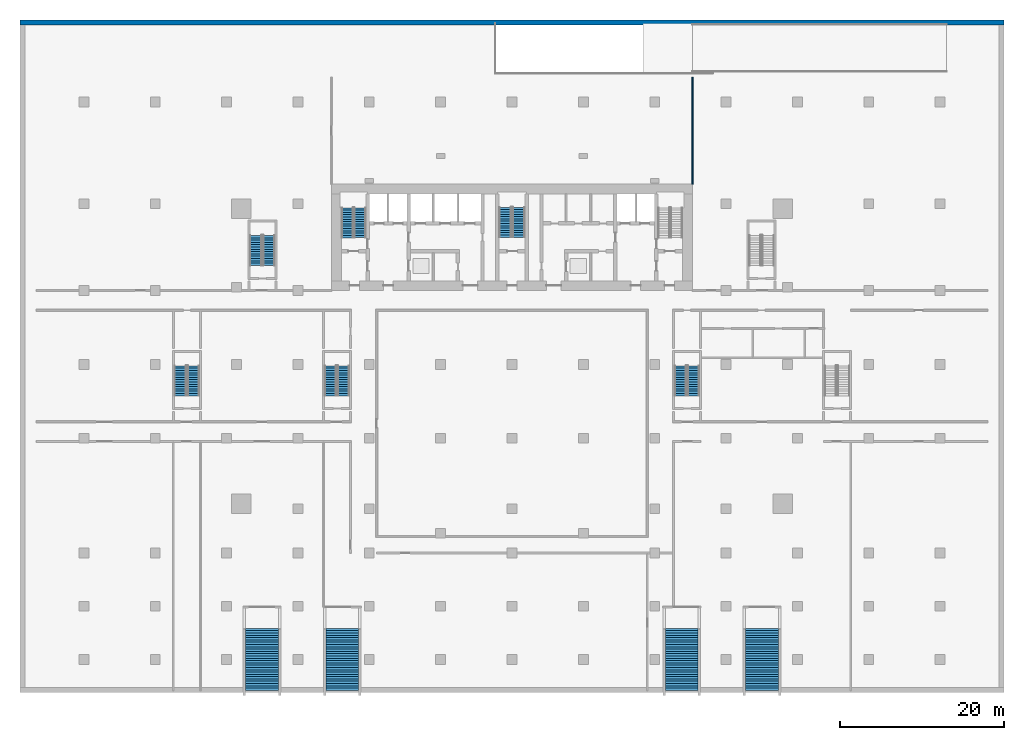
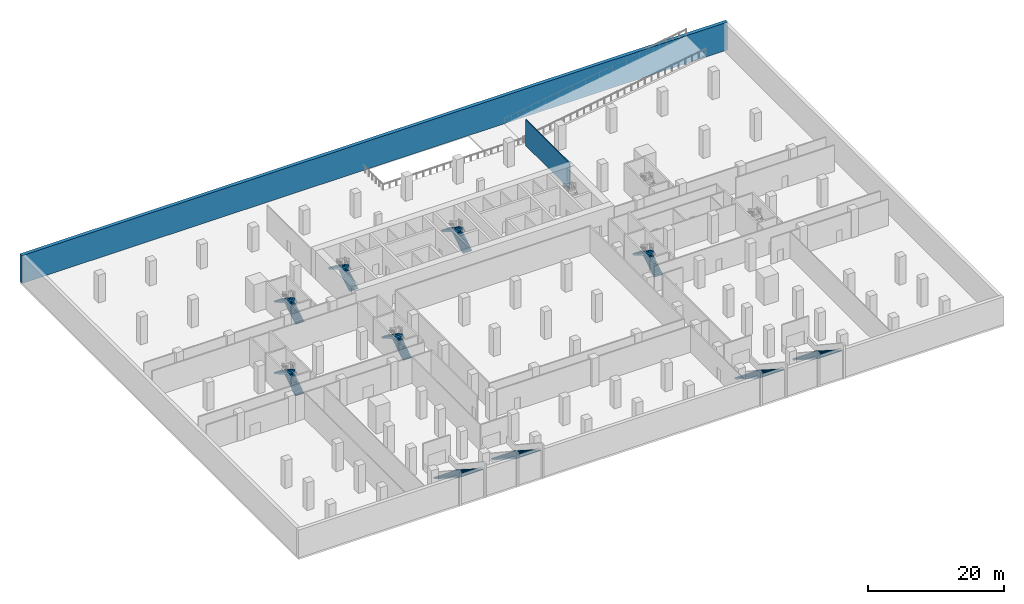
# One storey, part 12 of 16: 16 stair flights, 2 walls, 10 elements without a shape of their own.
"""IFC4 building model written with IfcOpenShell, lengths in metres."""

from ifc_helpers import new_model, si_unit, direction, frame, frame_2d, origin, place, context, subcontext, project, spatial, polyline, rectangle, outline, extrude, material, layer, layer_set, type_object, element, aggregate, save


model = new_model("IFC4")

# Units and contexts
model_context = context("Model", 3, precision=1e-05, world=origin(), true_north=direction((0.0, 1.0)))
body_context = subcontext(model_context, "Body", "Model", "MODEL_VIEW")
ifc_project = project(units=[si_unit("LENGTHUNIT", "METRE"), si_unit("AREAUNIT", "SQUARE_METRE"), si_unit("VOLUMEUNIT", "CUBIC_METRE"), si_unit("PLANEANGLEUNIT", "RADIAN"), si_unit("MASSUNIT", "GRAM", prefix="KILO")], contexts=[model_context])

# Site, building, storey
site_placement = place(None, origin())
site = spatial("IfcSite", under=ifc_project, at=site_placement, CompositionType="ELEMENT")
building_placement = place(site_placement, origin())
building = spatial("IfcBuilding", under=site, at=building_placement, Name="Bicima Exchange Tower", CompositionType="ELEMENT")
storey_placement = place(building_placement, frame((0.0, 0.0, -5.0)))
storey = spatial("IfcBuildingStorey", under=building, at=storey_placement, Name="B1", CompositionType="ELEMENT", Elevation=-5.0)

# Walls
ifc_material_1 = material(Name="Concrete C40/50", Category="concrete")
ifc_layer_1 = layer(ifc_material_1, 0.60009765625)
ifc_layer_set_1 = layer_set([ifc_layer_1], Name="Concrete C40/50")
wall_type_1 = type_object("IfcWallType", Name="Basement retaining wall 600", PredefinedType="SOLIDWALL", material=ifc_layer_set_1)
wall_1_placement = place(storey_placement, frame((-60.0, 19.699951171875, 0.0), z_axis=(0.0, 0.0, 1.0), x_axis=(1.0, 0.0, 0.0)))
element("IfcWall", 1, at=wall_1_placement, inside=storey, type_object=wall_type_1, Name="Retaining wall north", PredefinedType="SOLIDWALL", context=body_context, shape_type="SweptSolid", body=[
    extrude(rectangle(XDim=120.0, YDim=0.60009765625, at=frame_2d((60.0, 0.0))), origin(), (0.0, 0.0, 1.0), 5.0),
])
ifc_material_2 = material(Name="Gypsum board partition")
ifc_layer_2 = layer(ifc_material_2, 0.14990234375)
ifc_layer_set_2 = layer_set([ifc_layer_2], Name="Gypsum board partition")
wall_type_2 = type_object("IfcWallType", Name="Gypsum partition 150", PredefinedType="PARTITIONING", material=ifc_layer_set_2)
wall_2_placement = place(storey_placement, frame((22.0, 0.0, 0.0), z_axis=(0.0, 0.0, 1.0), x_axis=(0.0, 1.0, 0.0)))
element("IfcWall", 2, at=wall_2_placement, inside=storey, type_object=wall_type_2, Name="partition wall 46", PredefinedType="PARTITIONING", context=body_context, shape_type="SweptSolid", body=[
    extrude(rectangle(XDim=13.0, YDim=0.14990234375, at=frame_2d((6.5, 0.0))), origin(), (0.0, 0.0, 1.0), 4.699951171875),
])

# Stair, stair flights
ifc_material_3 = material(Name="Concrete C50/60", Category="concrete")
stair_type_1 = type_object("IfcStairType", Name="Exit stair", PredefinedType="HALF_TURN_STAIR", material=ifc_material_3)
stair_1_placement = place(storey_placement, origin())
stair_1 = element("IfcStair", 3, at=stair_1_placement, inside=storey, type_object=stair_type_1, Name="B1 West exit stair", PredefinedType="HALF_TURN_STAIR")
stair_flight_type_1 = type_object("IfcStairFlightType", Name="Stair flight RC", PredefinedType="STRAIGHT", material=ifc_material_3)
stair_flight_1_placement = place(storey_placement, frame((-18.52490234375, -6.550048828125, 0.0), z_axis=(0.0, 0.0, 1.0), x_axis=(0.0, 1.0, 0.0)))
stair_flight_1 = element("IfcStairFlight", 4, at=stair_flight_1_placement, type_object=stair_flight_type_1, Name="ST-W flight 1", NumberOfRisers=14, NumberOfTreads=13, PredefinedType="STRAIGHT", RiserHeight=0.178571429, TreadLength=0.28, context=body_context, shape_type="SweptSolid", body=[
    extrude(outline(polyline([(0.0, 0.0), (0.0, 0.178466796875), (0.280029296875, 0.178466796875), (0.280029296875, 0.357177734375), (0.56005859375, 0.357177734375), (0.56005859375, 0.53564453125), (0.840087890625, 0.53564453125), (0.840087890625, 0.71435546875), (1.1201171875, 0.71435546875), (1.1201171875, 0.892822265625), (1.39990234375, 0.892822265625), (1.39990234375, 1.071533203125), (1.679931640625, 1.071533203125), (1.679931640625, 1.25), (1.9599609375, 1.25), (1.9599609375, 1.428466796875), (2.239990234375, 1.428466796875), (2.239990234375, 1.607177734375), (2.52001953125, 1.607177734375), (2.52001953125, 1.78564453125), (2.800048828125, 1.78564453125), (2.800048828125, 1.96435546875), (3.080078125, 1.96435546875), (3.080078125, 2.142822265625), (3.360107421875, 2.142822265625), (3.360107421875, 2.321533203125), (3.639892578125, 2.321533203125), (3.639892578125, 2.5), (3.639892578125, 2.1435546875), (0.27880859375, 0.0), (0.0, 0.0)])), frame((0.0, 0.72509765625, 0.0), z_axis=(0.0, -1.0, 0.0), x_axis=(1.0, 0.0, 0.0)), (0.0, 0.0, 1.0), 1.449951171875),
])
stair_flight_2_placement = place(storey_placement, frame((-20.074951171875, -2.909912109375, 2.5), z_axis=(0.0, 0.0, 1.0), x_axis=(0.0, -1.0, 0.0)))
stair_flight_2 = element("IfcStairFlight", 5, at=stair_flight_2_placement, type_object=stair_flight_type_1, Name="ST-W flight 2", NumberOfRisers=14, NumberOfTreads=13, PredefinedType="STRAIGHT", RiserHeight=0.178571429, TreadLength=0.28, context=body_context, shape_type="SweptSolid", body=[
    extrude(outline(polyline([(0.0, 0.0), (0.0, 0.178466796875), (0.280029296875, 0.178466796875), (0.280029296875, 0.357177734375), (0.56005859375, 0.357177734375), (0.56005859375, 0.53564453125), (0.840087890625, 0.53564453125), (0.840087890625, 0.71435546875), (1.1201171875, 0.71435546875), (1.1201171875, 0.892822265625), (1.39990234375, 0.892822265625), (1.39990234375, 1.071533203125), (1.679931640625, 1.071533203125), (1.679931640625, 1.25), (1.9599609375, 1.25), (1.9599609375, 1.428466796875), (2.239990234375, 1.428466796875), (2.239990234375, 1.607177734375), (2.52001953125, 1.607177734375), (2.52001953125, 1.78564453125), (2.800048828125, 1.78564453125), (2.800048828125, 1.96435546875), (3.080078125, 1.96435546875), (3.080078125, 2.142822265625), (3.360107421875, 2.142822265625), (3.360107421875, 2.321533203125), (3.639892578125, 2.321533203125), (3.655029296875, 2.321533203125), (3.655029296875, 1.974609375), (0.27880859375, 0.0), (0.0, 0.0)])), frame((0.0, 0.72509765625, 0.0), z_axis=(0.0, -1.0, 0.0), x_axis=(1.0, 0.0, 0.0)), (0.0, 0.0, 1.0), 1.449951171875),
])
aggregate(stair_1, [stair_flight_1, stair_flight_2])

stair_2_placement = place(storey_placement, origin())
stair_2 = element("IfcStair", 6, at=stair_2_placement, inside=storey, type_object=stair_type_1, Name="B1 West end exit stair", PredefinedType="HALF_TURN_STAIR")
stair_flight_3_placement = place(storey_placement, frame((-29.64990234375, -9.925048828125, 0.0), z_axis=(0.0, 0.0, 1.0), x_axis=(0.0, 1.0, 0.0)))
stair_flight_3 = element("IfcStairFlight", 7, at=stair_flight_3_placement, type_object=stair_flight_type_1, Name="ST-WW flight 1", NumberOfRisers=14, NumberOfTreads=13, PredefinedType="STRAIGHT", RiserHeight=0.178571429, TreadLength=0.28, context=body_context, shape_type="SweptSolid", body=[
    extrude(outline(polyline([(0.0, 0.0), (0.0, 0.178466796875), (0.280029296875, 0.178466796875), (0.280029296875, 0.357177734375), (0.56005859375, 0.357177734375), (0.56005859375, 0.53564453125), (0.840087890625, 0.53564453125), (0.840087890625, 0.71435546875), (1.1201171875, 0.71435546875), (1.1201171875, 0.892822265625), (1.39990234375, 0.892822265625), (1.39990234375, 1.071533203125), (1.679931640625, 1.071533203125), (1.679931640625, 1.25), (1.9599609375, 1.25), (1.9599609375, 1.428466796875), (2.239990234375, 1.428466796875), (2.239990234375, 1.607177734375), (2.52001953125, 1.607177734375), (2.52001953125, 1.78564453125), (2.800048828125, 1.78564453125), (2.800048828125, 1.96435546875), (3.080078125, 1.96435546875), (3.080078125, 2.142822265625), (3.360107421875, 2.142822265625), (3.360107421875, 2.321533203125), (3.639892578125, 2.321533203125), (3.639892578125, 2.5), (3.639892578125, 2.1435546875), (0.27880859375, 0.0), (0.0, 0.0)])), frame((0.0, 0.72509765625, 0.0), z_axis=(0.0, -1.0, 0.0), x_axis=(1.0, 0.0, 0.0)), (0.0, 0.0, 1.0), 1.449951171875),
])
stair_flight_4_placement = place(storey_placement, frame((-31.25, -6.284912109375, 2.5), z_axis=(0.0, 0.0, 1.0), x_axis=(0.0, -1.0, 0.0)))
stair_flight_4 = element("IfcStairFlight", 8, at=stair_flight_4_placement, type_object=stair_flight_type_1, Name="ST-WW flight 2", NumberOfRisers=14, NumberOfTreads=13, PredefinedType="STRAIGHT", RiserHeight=0.178571429, TreadLength=0.28, context=body_context, shape_type="SweptSolid", body=[
    extrude(outline(polyline([(0.0, 0.0), (0.0, 0.178466796875), (0.280029296875, 0.178466796875), (0.280029296875, 0.357177734375), (0.56005859375, 0.357177734375), (0.56005859375, 0.53564453125), (0.840087890625, 0.53564453125), (0.840087890625, 0.71435546875), (1.1201171875, 0.71435546875), (1.1201171875, 0.892822265625), (1.39990234375, 0.892822265625), (1.39990234375, 1.071533203125), (1.679931640625, 1.071533203125), (1.679931640625, 1.25), (1.9599609375, 1.25), (1.9599609375, 1.428466796875), (2.239990234375, 1.428466796875), (2.239990234375, 1.607177734375), (2.52001953125, 1.607177734375), (2.52001953125, 1.78564453125), (2.800048828125, 1.78564453125), (2.800048828125, 1.96435546875), (3.080078125, 1.96435546875), (3.080078125, 2.142822265625), (3.360107421875, 2.142822265625), (3.360107421875, 2.321533203125), (3.639892578125, 2.321533203125), (3.655029296875, 2.321533203125), (3.655029296875, 1.974609375), (0.27880859375, 0.0), (0.0, 0.0)])), frame((0.0, 0.72509765625, 0.0), z_axis=(0.0, -1.0, 0.0), x_axis=(1.0, 0.0, 0.0)), (0.0, 0.0, 1.0), 1.449951171875),
])
aggregate(stair_2, [stair_flight_3, stair_flight_4])

stair_3_placement = place(storey_placement, origin())
stair_3 = element("IfcStair", 9, at=stair_3_placement, inside=storey, type_object=stair_type_1, Name="B1 Podium west stair", PredefinedType="HALF_TURN_STAIR")
stair_flight_5_placement = place(storey_placement, frame((-38.85009765625, -25.824951171875, 0.0), z_axis=(0.0, 0.0, 1.0), x_axis=(0.0, 1.0, 0.0)))
stair_flight_5 = element("IfcStairFlight", 10, at=stair_flight_5_placement, type_object=stair_flight_type_1, Name="PS-W flight 1", NumberOfRisers=14, NumberOfTreads=13, PredefinedType="STRAIGHT", RiserHeight=0.178571429, TreadLength=0.28, context=body_context, shape_type="SweptSolid", body=[
    extrude(outline(polyline([(0.0, 0.0), (0.0, 0.178466796875), (0.280029296875, 0.178466796875), (0.280029296875, 0.357177734375), (0.56005859375, 0.357177734375), (0.56005859375, 0.53564453125), (0.840087890625, 0.53564453125), (0.840087890625, 0.71435546875), (1.1201171875, 0.71435546875), (1.1201171875, 0.892822265625), (1.39990234375, 0.892822265625), (1.39990234375, 1.071533203125), (1.679931640625, 1.071533203125), (1.679931640625, 1.25), (1.9599609375, 1.25), (1.9599609375, 1.428466796875), (2.239990234375, 1.428466796875), (2.239990234375, 1.607177734375), (2.52001953125, 1.607177734375), (2.52001953125, 1.78564453125), (2.800048828125, 1.78564453125), (2.800048828125, 1.96435546875), (3.080078125, 1.96435546875), (3.080078125, 2.142822265625), (3.360107421875, 2.142822265625), (3.360107421875, 2.321533203125), (3.639892578125, 2.321533203125), (3.639892578125, 2.5), (3.639892578125, 2.1435546875), (0.27880859375, 0.0), (0.0, 0.0)])), frame((0.0, 0.72509765625, 0.0), z_axis=(0.0, -1.0, 0.0), x_axis=(1.0, 0.0, 0.0)), (0.0, 0.0, 1.0), 1.449951171875),
])
stair_flight_6_placement = place(storey_placement, frame((-40.449951171875, -22.18505859375, 2.5), z_axis=(0.0, 0.0, 1.0), x_axis=(0.0, -1.0, 0.0)))
stair_flight_6 = element("IfcStairFlight", 11, at=stair_flight_6_placement, type_object=stair_flight_type_1, Name="PS-W flight 2", NumberOfRisers=14, NumberOfTreads=13, PredefinedType="STRAIGHT", RiserHeight=0.178571429, TreadLength=0.28, context=body_context, shape_type="SweptSolid", body=[
    extrude(outline(polyline([(0.0, 0.0), (0.0, 0.178466796875), (0.280029296875, 0.178466796875), (0.280029296875, 0.357177734375), (0.56005859375, 0.357177734375), (0.56005859375, 0.53564453125), (0.840087890625, 0.53564453125), (0.840087890625, 0.71435546875), (1.1201171875, 0.71435546875), (1.1201171875, 0.892822265625), (1.39990234375, 0.892822265625), (1.39990234375, 1.071533203125), (1.679931640625, 1.071533203125), (1.679931640625, 1.25), (1.9599609375, 1.25), (1.9599609375, 1.428466796875), (2.239990234375, 1.428466796875), (2.239990234375, 1.607177734375), (2.52001953125, 1.607177734375), (2.52001953125, 1.78564453125), (2.800048828125, 1.78564453125), (2.800048828125, 1.96435546875), (3.080078125, 1.96435546875), (3.080078125, 2.142822265625), (3.360107421875, 2.142822265625), (3.360107421875, 2.321533203125), (3.639892578125, 2.321533203125), (3.655029296875, 2.321533203125), (3.655029296875, 1.974609375), (0.27880859375, 0.0), (0.0, 0.0)])), frame((0.0, 0.72509765625, 0.0), z_axis=(0.0, -1.0, 0.0), x_axis=(1.0, 0.0, 0.0)), (0.0, 0.0, 1.0), 1.449951171875),
])
aggregate(stair_3, [stair_flight_5, stair_flight_6])

stair_4_placement = place(storey_placement, origin())
stair_4 = element("IfcStair", 12, at=stair_4_placement, inside=storey, type_object=stair_type_1, Name="B1 Podium inner west stair", PredefinedType="HALF_TURN_STAIR")
stair_flight_7_placement = place(storey_placement, frame((-20.550048828125, -25.824951171875, 0.0), z_axis=(0.0, 0.0, 1.0), x_axis=(0.0, 1.0, 0.0)))
stair_flight_7 = element("IfcStairFlight", 13, at=stair_flight_7_placement, type_object=stair_flight_type_1, Name="PS-WI flight 1", NumberOfRisers=14, NumberOfTreads=13, PredefinedType="STRAIGHT", RiserHeight=0.178571429, TreadLength=0.28, context=body_context, shape_type="SweptSolid", body=[
    extrude(outline(polyline([(0.0, 0.0), (0.0, 0.178466796875), (0.280029296875, 0.178466796875), (0.280029296875, 0.357177734375), (0.56005859375, 0.357177734375), (0.56005859375, 0.53564453125), (0.840087890625, 0.53564453125), (0.840087890625, 0.71435546875), (1.1201171875, 0.71435546875), (1.1201171875, 0.892822265625), (1.39990234375, 0.892822265625), (1.39990234375, 1.071533203125), (1.679931640625, 1.071533203125), (1.679931640625, 1.25), (1.9599609375, 1.25), (1.9599609375, 1.428466796875), (2.239990234375, 1.428466796875), (2.239990234375, 1.607177734375), (2.52001953125, 1.607177734375), (2.52001953125, 1.78564453125), (2.800048828125, 1.78564453125), (2.800048828125, 1.96435546875), (3.080078125, 1.96435546875), (3.080078125, 2.142822265625), (3.360107421875, 2.142822265625), (3.360107421875, 2.321533203125), (3.639892578125, 2.321533203125), (3.639892578125, 2.5), (3.639892578125, 2.1435546875), (0.27880859375, 0.0), (0.0, 0.0)])), frame((0.0, 0.72509765625, 0.0), z_axis=(0.0, -1.0, 0.0), x_axis=(1.0, 0.0, 0.0)), (0.0, 0.0, 1.0), 1.449951171875),
])
stair_flight_8_placement = place(storey_placement, frame((-22.14990234375, -22.18505859375, 2.5), z_axis=(0.0, 0.0, 1.0), x_axis=(0.0, -1.0, 0.0)))
stair_flight_8 = element("IfcStairFlight", 14, at=stair_flight_8_placement, type_object=stair_flight_type_1, Name="PS-WI flight 2", NumberOfRisers=14, NumberOfTreads=13, PredefinedType="STRAIGHT", RiserHeight=0.178571429, TreadLength=0.28, context=body_context, shape_type="SweptSolid", body=[
    extrude(outline(polyline([(0.0, 0.0), (0.0, 0.178466796875), (0.280029296875, 0.178466796875), (0.280029296875, 0.357177734375), (0.56005859375, 0.357177734375), (0.56005859375, 0.53564453125), (0.840087890625, 0.53564453125), (0.840087890625, 0.71435546875), (1.1201171875, 0.71435546875), (1.1201171875, 0.892822265625), (1.39990234375, 0.892822265625), (1.39990234375, 1.071533203125), (1.679931640625, 1.071533203125), (1.679931640625, 1.25), (1.9599609375, 1.25), (1.9599609375, 1.428466796875), (2.239990234375, 1.428466796875), (2.239990234375, 1.607177734375), (2.52001953125, 1.607177734375), (2.52001953125, 1.78564453125), (2.800048828125, 1.78564453125), (2.800048828125, 1.96435546875), (3.080078125, 1.96435546875), (3.080078125, 2.142822265625), (3.360107421875, 2.142822265625), (3.360107421875, 2.321533203125), (3.639892578125, 2.321533203125), (3.655029296875, 2.321533203125), (3.655029296875, 1.974609375), (0.27880859375, 0.0), (0.0, 0.0)])), frame((0.0, 0.72509765625, 0.0), z_axis=(0.0, -1.0, 0.0), x_axis=(1.0, 0.0, 0.0)), (0.0, 0.0, 1.0), 1.449951171875),
])
aggregate(stair_4, [stair_flight_7, stair_flight_8])

stair_5_placement = place(storey_placement, origin())
stair_5 = element("IfcStair", 15, at=stair_5_placement, inside=storey, type_object=stair_type_1, Name="B1 Podium inner east stair", PredefinedType="HALF_TURN_STAIR")
stair_flight_9_placement = place(storey_placement, frame((22.14990234375, -25.824951171875, 0.0), z_axis=(0.0, 0.0, 1.0), x_axis=(0.0, 1.0, 0.0)))
stair_flight_9 = element("IfcStairFlight", 16, at=stair_flight_9_placement, type_object=stair_flight_type_1, Name="PS-EI flight 1", NumberOfRisers=14, NumberOfTreads=13, PredefinedType="STRAIGHT", RiserHeight=0.178571429, TreadLength=0.28, context=body_context, shape_type="SweptSolid", body=[
    extrude(outline(polyline([(0.0, 0.0), (0.0, 0.178466796875), (0.280029296875, 0.178466796875), (0.280029296875, 0.357177734375), (0.56005859375, 0.357177734375), (0.56005859375, 0.53564453125), (0.840087890625, 0.53564453125), (0.840087890625, 0.71435546875), (1.1201171875, 0.71435546875), (1.1201171875, 0.892822265625), (1.39990234375, 0.892822265625), (1.39990234375, 1.071533203125), (1.679931640625, 1.071533203125), (1.679931640625, 1.25), (1.9599609375, 1.25), (1.9599609375, 1.428466796875), (2.239990234375, 1.428466796875), (2.239990234375, 1.607177734375), (2.52001953125, 1.607177734375), (2.52001953125, 1.78564453125), (2.800048828125, 1.78564453125), (2.800048828125, 1.96435546875), (3.080078125, 1.96435546875), (3.080078125, 2.142822265625), (3.360107421875, 2.142822265625), (3.360107421875, 2.321533203125), (3.639892578125, 2.321533203125), (3.639892578125, 2.5), (3.639892578125, 2.1435546875), (0.27880859375, 0.0), (0.0, 0.0)])), frame((0.0, 0.72509765625, 0.0), z_axis=(0.0, -1.0, 0.0), x_axis=(1.0, 0.0, 0.0)), (0.0, 0.0, 1.0), 1.449951171875),
])
stair_flight_10_placement = place(storey_placement, frame((20.550048828125, -22.18505859375, 2.5), z_axis=(0.0, 0.0, 1.0), x_axis=(0.0, -1.0, 0.0)))
stair_flight_10 = element("IfcStairFlight", 17, at=stair_flight_10_placement, type_object=stair_flight_type_1, Name="PS-EI flight 2", NumberOfRisers=14, NumberOfTreads=13, PredefinedType="STRAIGHT", RiserHeight=0.178571429, TreadLength=0.28, context=body_context, shape_type="SweptSolid", body=[
    extrude(outline(polyline([(0.0, 0.0), (0.0, 0.178466796875), (0.280029296875, 0.178466796875), (0.280029296875, 0.357177734375), (0.56005859375, 0.357177734375), (0.56005859375, 0.53564453125), (0.840087890625, 0.53564453125), (0.840087890625, 0.71435546875), (1.1201171875, 0.71435546875), (1.1201171875, 0.892822265625), (1.39990234375, 0.892822265625), (1.39990234375, 1.071533203125), (1.679931640625, 1.071533203125), (1.679931640625, 1.25), (1.9599609375, 1.25), (1.9599609375, 1.428466796875), (2.239990234375, 1.428466796875), (2.239990234375, 1.607177734375), (2.52001953125, 1.607177734375), (2.52001953125, 1.78564453125), (2.800048828125, 1.78564453125), (2.800048828125, 1.96435546875), (3.080078125, 1.96435546875), (3.080078125, 2.142822265625), (3.360107421875, 2.142822265625), (3.360107421875, 2.321533203125), (3.639892578125, 2.321533203125), (3.655029296875, 2.321533203125), (3.655029296875, 1.974609375), (0.27880859375, 0.0), (0.0, 0.0)])), frame((0.0, 0.72509765625, 0.0), z_axis=(0.0, -1.0, 0.0), x_axis=(1.0, 0.0, 0.0)), (0.0, 0.0, 1.0), 1.449951171875),
])
aggregate(stair_5, [stair_flight_9, stair_flight_10])

stair_type_2 = type_object("IfcStairType", Name="Exit stair 1500", PredefinedType="HALF_TURN_STAIR", material=ifc_material_3)
stair_6_placement = place(storey_placement, origin())
stair_6 = element("IfcStair", 18, at=stair_6_placement, inside=storey, type_object=stair_type_2, Name="B1 Central exit stair", PredefinedType="HALF_TURN_STAIR")
stair_flight_type_2 = type_object("IfcStairFlightType", Name="Stair flight RC 1500", PredefinedType="STRAIGHT", material=ifc_material_3)
stair_flight_11_placement = place(storey_placement, frame((0.824951171875, -6.5, 0.0), z_axis=(0.0, 0.0, 1.0), x_axis=(0.0, 1.0, 0.0)))
stair_flight_11 = element("IfcStairFlight", 19, at=stair_flight_11_placement, type_object=stair_flight_type_2, Name="ST-C flight 1", NumberOfRisers=14, NumberOfTreads=13, PredefinedType="STRAIGHT", RiserHeight=0.178571429, TreadLength=0.28, context=body_context, shape_type="SweptSolid", body=[
    extrude(outline(polyline([(0.0, 0.0), (0.0, 0.178466796875), (0.280029296875, 0.178466796875), (0.280029296875, 0.357177734375), (0.56005859375, 0.357177734375), (0.56005859375, 0.53564453125), (0.840087890625, 0.53564453125), (0.840087890625, 0.71435546875), (1.1201171875, 0.71435546875), (1.1201171875, 0.892822265625), (1.39990234375, 0.892822265625), (1.39990234375, 1.071533203125), (1.679931640625, 1.071533203125), (1.679931640625, 1.25), (1.9599609375, 1.25), (1.9599609375, 1.428466796875), (2.239990234375, 1.428466796875), (2.239990234375, 1.607177734375), (2.52001953125, 1.607177734375), (2.52001953125, 1.78564453125), (2.800048828125, 1.78564453125), (2.800048828125, 1.96435546875), (3.080078125, 1.96435546875), (3.080078125, 2.142822265625), (3.360107421875, 2.142822265625), (3.360107421875, 2.321533203125), (3.639892578125, 2.321533203125), (3.639892578125, 2.5), (3.639892578125, 2.1435546875), (0.27880859375, 0.0), (0.0, 0.0)])), frame((0.0, 0.75, 0.0), z_axis=(0.0, -1.0, 0.0), x_axis=(1.0, 0.0, 0.0)), (0.0, 0.0, 1.0), 1.5),
])
stair_flight_12_placement = place(storey_placement, frame((-0.824951171875, -2.860107421875, 2.5), z_axis=(0.0, 0.0, 1.0), x_axis=(0.0, -1.0, 0.0)))
stair_flight_12 = element("IfcStairFlight", 20, at=stair_flight_12_placement, type_object=stair_flight_type_2, Name="ST-C flight 2", NumberOfRisers=14, NumberOfTreads=13, PredefinedType="STRAIGHT", RiserHeight=0.178571429, TreadLength=0.28, context=body_context, shape_type="SweptSolid", body=[
    extrude(outline(polyline([(0.0, 0.0), (0.0, 0.178466796875), (0.280029296875, 0.178466796875), (0.280029296875, 0.357177734375), (0.56005859375, 0.357177734375), (0.56005859375, 0.53564453125), (0.840087890625, 0.53564453125), (0.840087890625, 0.71435546875), (1.1201171875, 0.71435546875), (1.1201171875, 0.892822265625), (1.39990234375, 0.892822265625), (1.39990234375, 1.071533203125), (1.679931640625, 1.071533203125), (1.679931640625, 1.25), (1.9599609375, 1.25), (1.9599609375, 1.428466796875), (2.239990234375, 1.428466796875), (2.239990234375, 1.607177734375), (2.52001953125, 1.607177734375), (2.52001953125, 1.78564453125), (2.800048828125, 1.78564453125), (2.800048828125, 1.96435546875), (3.080078125, 1.96435546875), (3.080078125, 2.142822265625), (3.360107421875, 2.142822265625), (3.360107421875, 2.321533203125), (3.639892578125, 2.321533203125), (3.655029296875, 2.321533203125), (3.655029296875, 1.974609375), (0.27880859375, 0.0), (0.0, 0.0)])), frame((0.0, 0.75, 0.0), z_axis=(0.0, -1.0, 0.0), x_axis=(1.0, 0.0, 0.0)), (0.0, 0.0, 1.0), 1.5),
])
aggregate(stair_6, [stair_flight_11, stair_flight_12])

# Stair, stair flight
stair_type_3 = type_object("IfcStairType", Name="Station entrance stair", PredefinedType="STRAIGHT_RUN_STAIR", material=ifc_material_3)
stair_7_placement = place(storey_placement, origin())
stair_7 = element("IfcStair", 21, at=stair_7_placement, inside=storey, type_object=stair_type_3, Name="Station entrance stair 1", PredefinedType="STRAIGHT_RUN_STAIR")
stair_flight_type_3 = type_object("IfcStairFlightType", Name="Station stair flight RC", PredefinedType="STRAIGHT", material=ifc_material_3)
stair_flight_13_placement = place(storey_placement, frame((-30.5, -54.199951171875, 0.0), z_axis=(0.0, 0.0, 1.0), x_axis=(0.0, -1.0, 0.0)))
stair_flight_13 = element("IfcStairFlight", 22, at=stair_flight_13_placement, type_object=stair_flight_type_3, Name="SE1 flight 1", NumberOfRisers=28, NumberOfTreads=27, PredefinedType="STRAIGHT", RiserHeight=0.178571429, TreadLength=0.28, context=body_context, shape_type="SweptSolid", body=[
    extrude(outline(polyline([(0.0, 0.0), (0.0, 0.178466796875), (0.280029296875, 0.178466796875), (0.280029296875, 0.357177734375), (0.56005859375, 0.357177734375), (0.56005859375, 0.53564453125), (0.840087890625, 0.53564453125), (0.840087890625, 0.71435546875), (1.1201171875, 0.71435546875), (1.1201171875, 0.892822265625), (1.39990234375, 0.892822265625), (1.39990234375, 1.071533203125), (1.679931640625, 1.071533203125), (1.679931640625, 1.25), (1.9599609375, 1.25), (1.9599609375, 1.428466796875), (2.239990234375, 1.428466796875), (2.239990234375, 1.607177734375), (2.52001953125, 1.607177734375), (2.52001953125, 1.78564453125), (2.800048828125, 1.78564453125), (2.800048828125, 1.96435546875), (3.080078125, 1.96435546875), (3.080078125, 2.142822265625), (3.360107421875, 2.142822265625), (3.360107421875, 2.321533203125), (3.639892578125, 2.321533203125), (3.639892578125, 2.5), (3.919921875, 2.5), (3.919921875, 2.678466796875), (4.199951171875, 2.678466796875), (4.199951171875, 2.857177734375), (4.47998046875, 2.857177734375), (4.47998046875, 3.03564453125), (4.760009765625, 3.03564453125), (4.760009765625, 3.21435546875), (5.0400390625, 3.21435546875), (5.0400390625, 3.392822265625), (5.320068359375, 3.392822265625), (5.320068359375, 3.571533203125), (5.60009765625, 3.571533203125), (5.60009765625, 3.75), (5.8798828125, 3.75), (5.8798828125, 3.928466796875), (6.159912109375, 3.928466796875), (6.159912109375, 4.107177734375), (6.43994140625, 4.107177734375), (6.43994140625, 4.28564453125), (6.719970703125, 4.28564453125), (6.719970703125, 4.46435546875), (7.0, 4.46435546875), (7.0, 4.642822265625), (7.280029296875, 4.642822265625), (7.280029296875, 4.821533203125), (7.56005859375, 4.821533203125), (7.56005859375, 5.0), (7.56005859375, 4.6435546875), (0.27880859375, 0.0), (0.0, 0.0)])), frame((0.0, 2.0, 0.0), z_axis=(0.0, -1.0, 0.0), x_axis=(1.0, 0.0, 0.0)), (0.0, 0.0, 1.0), 4.0),
])
aggregate(stair_7, [stair_flight_13])

stair_8_placement = place(storey_placement, origin())
stair_8 = element("IfcStair", 23, at=stair_8_placement, inside=storey, type_object=stair_type_3, Name="Station entrance stair 2", PredefinedType="STRAIGHT_RUN_STAIR")
stair_flight_14_placement = place(storey_placement, frame((-20.699951171875, -54.199951171875, 0.0), z_axis=(0.0, 0.0, 1.0), x_axis=(0.0, -1.0, 0.0)))
stair_flight_14 = element("IfcStairFlight", 24, at=stair_flight_14_placement, type_object=stair_flight_type_3, Name="SE2 flight 1", NumberOfRisers=28, NumberOfTreads=27, PredefinedType="STRAIGHT", RiserHeight=0.178571429, TreadLength=0.28, context=body_context, shape_type="SweptSolid", body=[
    extrude(outline(polyline([(0.0, 0.0), (0.0, 0.178466796875), (0.280029296875, 0.178466796875), (0.280029296875, 0.357177734375), (0.56005859375, 0.357177734375), (0.56005859375, 0.53564453125), (0.840087890625, 0.53564453125), (0.840087890625, 0.71435546875), (1.1201171875, 0.71435546875), (1.1201171875, 0.892822265625), (1.39990234375, 0.892822265625), (1.39990234375, 1.071533203125), (1.679931640625, 1.071533203125), (1.679931640625, 1.25), (1.9599609375, 1.25), (1.9599609375, 1.428466796875), (2.239990234375, 1.428466796875), (2.239990234375, 1.607177734375), (2.52001953125, 1.607177734375), (2.52001953125, 1.78564453125), (2.800048828125, 1.78564453125), (2.800048828125, 1.96435546875), (3.080078125, 1.96435546875), (3.080078125, 2.142822265625), (3.360107421875, 2.142822265625), (3.360107421875, 2.321533203125), (3.639892578125, 2.321533203125), (3.639892578125, 2.5), (3.919921875, 2.5), (3.919921875, 2.678466796875), (4.199951171875, 2.678466796875), (4.199951171875, 2.857177734375), (4.47998046875, 2.857177734375), (4.47998046875, 3.03564453125), (4.760009765625, 3.03564453125), (4.760009765625, 3.21435546875), (5.0400390625, 3.21435546875), (5.0400390625, 3.392822265625), (5.320068359375, 3.392822265625), (5.320068359375, 3.571533203125), (5.60009765625, 3.571533203125), (5.60009765625, 3.75), (5.8798828125, 3.75), (5.8798828125, 3.928466796875), (6.159912109375, 3.928466796875), (6.159912109375, 4.107177734375), (6.43994140625, 4.107177734375), (6.43994140625, 4.28564453125), (6.719970703125, 4.28564453125), (6.719970703125, 4.46435546875), (7.0, 4.46435546875), (7.0, 4.642822265625), (7.280029296875, 4.642822265625), (7.280029296875, 4.821533203125), (7.56005859375, 4.821533203125), (7.56005859375, 5.0), (7.56005859375, 4.6435546875), (0.27880859375, 0.0), (0.0, 0.0)])), frame((0.0, 2.0, 0.0), z_axis=(0.0, -1.0, 0.0), x_axis=(1.0, 0.0, 0.0)), (0.0, 0.0, 1.0), 4.0),
])
aggregate(stair_8, [stair_flight_14])

stair_9_placement = place(storey_placement, origin())
stair_9 = element("IfcStair", 25, at=stair_9_placement, inside=storey, type_object=stair_type_3, Name="Station entrance stair 3", PredefinedType="STRAIGHT_RUN_STAIR")
stair_flight_15_placement = place(storey_placement, frame((20.699951171875, -54.199951171875, 0.0), z_axis=(0.0, 0.0, 1.0), x_axis=(0.0, -1.0, 0.0)))
stair_flight_15 = element("IfcStairFlight", 26, at=stair_flight_15_placement, type_object=stair_flight_type_3, Name="SE3 flight 1", NumberOfRisers=28, NumberOfTreads=27, PredefinedType="STRAIGHT", RiserHeight=0.178571429, TreadLength=0.28, context=body_context, shape_type="SweptSolid", body=[
    extrude(outline(polyline([(0.0, 0.0), (0.0, 0.178466796875), (0.280029296875, 0.178466796875), (0.280029296875, 0.357177734375), (0.56005859375, 0.357177734375), (0.56005859375, 0.53564453125), (0.840087890625, 0.53564453125), (0.840087890625, 0.71435546875), (1.1201171875, 0.71435546875), (1.1201171875, 0.892822265625), (1.39990234375, 0.892822265625), (1.39990234375, 1.071533203125), (1.679931640625, 1.071533203125), (1.679931640625, 1.25), (1.9599609375, 1.25), (1.9599609375, 1.428466796875), (2.239990234375, 1.428466796875), (2.239990234375, 1.607177734375), (2.52001953125, 1.607177734375), (2.52001953125, 1.78564453125), (2.800048828125, 1.78564453125), (2.800048828125, 1.96435546875), (3.080078125, 1.96435546875), (3.080078125, 2.142822265625), (3.360107421875, 2.142822265625), (3.360107421875, 2.321533203125), (3.639892578125, 2.321533203125), (3.639892578125, 2.5), (3.919921875, 2.5), (3.919921875, 2.678466796875), (4.199951171875, 2.678466796875), (4.199951171875, 2.857177734375), (4.47998046875, 2.857177734375), (4.47998046875, 3.03564453125), (4.760009765625, 3.03564453125), (4.760009765625, 3.21435546875), (5.0400390625, 3.21435546875), (5.0400390625, 3.392822265625), (5.320068359375, 3.392822265625), (5.320068359375, 3.571533203125), (5.60009765625, 3.571533203125), (5.60009765625, 3.75), (5.8798828125, 3.75), (5.8798828125, 3.928466796875), (6.159912109375, 3.928466796875), (6.159912109375, 4.107177734375), (6.43994140625, 4.107177734375), (6.43994140625, 4.28564453125), (6.719970703125, 4.28564453125), (6.719970703125, 4.46435546875), (7.0, 4.46435546875), (7.0, 4.642822265625), (7.280029296875, 4.642822265625), (7.280029296875, 4.821533203125), (7.56005859375, 4.821533203125), (7.56005859375, 5.0), (7.56005859375, 4.6435546875), (0.27880859375, 0.0), (0.0, 0.0)])), frame((0.0, 2.0, 0.0), z_axis=(0.0, -1.0, 0.0), x_axis=(1.0, 0.0, 0.0)), (0.0, 0.0, 1.0), 4.0),
])
aggregate(stair_9, [stair_flight_15])

stair_10_placement = place(storey_placement, origin())
stair_10 = element("IfcStair", 27, at=stair_10_placement, inside=storey, type_object=stair_type_3, Name="Station entrance stair 4", PredefinedType="STRAIGHT_RUN_STAIR")
stair_flight_16_placement = place(storey_placement, frame((30.5, -54.199951171875, 0.0), z_axis=(0.0, 0.0, 1.0), x_axis=(0.0, -1.0, 0.0)))
stair_flight_16 = element("IfcStairFlight", 28, at=stair_flight_16_placement, type_object=stair_flight_type_3, Name="SE4 flight 1", NumberOfRisers=28, NumberOfTreads=27, PredefinedType="STRAIGHT", RiserHeight=0.178571429, TreadLength=0.28, context=body_context, shape_type="SweptSolid", body=[
    extrude(outline(polyline([(0.0, 0.0), (0.0, 0.178466796875), (0.280029296875, 0.178466796875), (0.280029296875, 0.357177734375), (0.56005859375, 0.357177734375), (0.56005859375, 0.53564453125), (0.840087890625, 0.53564453125), (0.840087890625, 0.71435546875), (1.1201171875, 0.71435546875), (1.1201171875, 0.892822265625), (1.39990234375, 0.892822265625), (1.39990234375, 1.071533203125), (1.679931640625, 1.071533203125), (1.679931640625, 1.25), (1.9599609375, 1.25), (1.9599609375, 1.428466796875), (2.239990234375, 1.428466796875), (2.239990234375, 1.607177734375), (2.52001953125, 1.607177734375), (2.52001953125, 1.78564453125), (2.800048828125, 1.78564453125), (2.800048828125, 1.96435546875), (3.080078125, 1.96435546875), (3.080078125, 2.142822265625), (3.360107421875, 2.142822265625), (3.360107421875, 2.321533203125), (3.639892578125, 2.321533203125), (3.639892578125, 2.5), (3.919921875, 2.5), (3.919921875, 2.678466796875), (4.199951171875, 2.678466796875), (4.199951171875, 2.857177734375), (4.47998046875, 2.857177734375), (4.47998046875, 3.03564453125), (4.760009765625, 3.03564453125), (4.760009765625, 3.21435546875), (5.0400390625, 3.21435546875), (5.0400390625, 3.392822265625), (5.320068359375, 3.392822265625), (5.320068359375, 3.571533203125), (5.60009765625, 3.571533203125), (5.60009765625, 3.75), (5.8798828125, 3.75), (5.8798828125, 3.928466796875), (6.159912109375, 3.928466796875), (6.159912109375, 4.107177734375), (6.43994140625, 4.107177734375), (6.43994140625, 4.28564453125), (6.719970703125, 4.28564453125), (6.719970703125, 4.46435546875), (7.0, 4.46435546875), (7.0, 4.642822265625), (7.280029296875, 4.642822265625), (7.280029296875, 4.821533203125), (7.56005859375, 4.821533203125), (7.56005859375, 5.0), (7.56005859375, 4.6435546875), (0.27880859375, 0.0), (0.0, 0.0)])), frame((0.0, 2.0, 0.0), z_axis=(0.0, -1.0, 0.0), x_axis=(1.0, 0.0, 0.0)), (0.0, 0.0, 1.0), 4.0),
])
aggregate(stair_10, [stair_flight_16])

save(model, "model.ifc")
